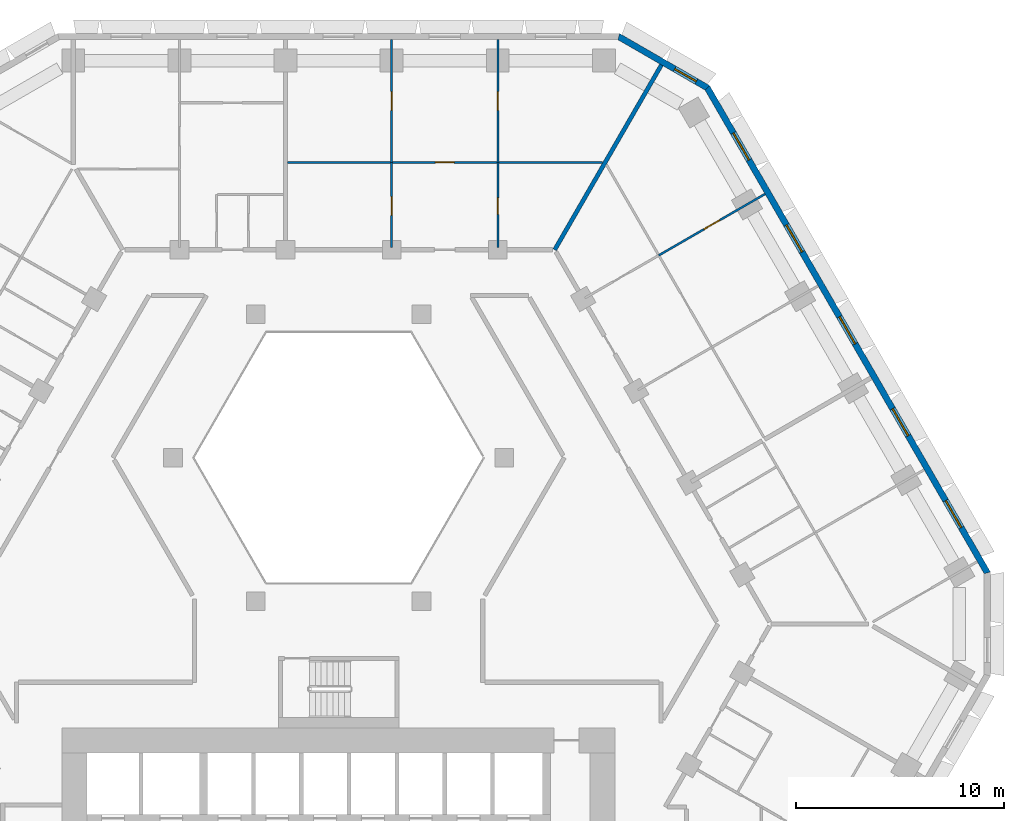
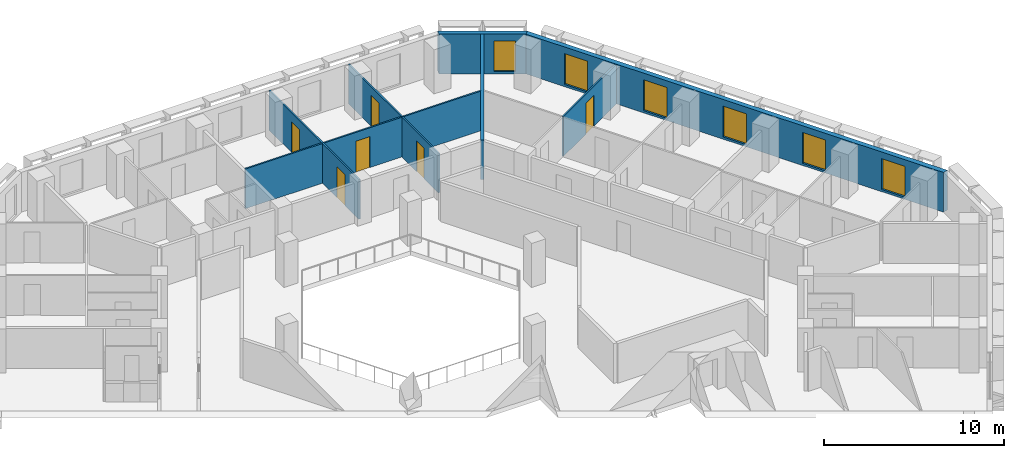
# One storey, part 10 of 16: 9 walls, 6 doors, 6 windows, 12 openings.
"""IFC4 building model written with IfcOpenShell, lengths in metres."""

from ifc_helpers import new_model, si_unit, direction, frame, frame_2d, origin, place, context, subcontext, project, spatial, polyline, rectangle, outline, extrude, material, layer, layer_set, type_object, element, fill, save


model = new_model("IFC4")

# Units and contexts
model_context = context("Model", 3, precision=1e-05, world=origin(), true_north=direction((0.0, 1.0)))
body_context = subcontext(model_context, "Body", "Model", "MODEL_VIEW")
ifc_project = project(units=[si_unit("LENGTHUNIT", "METRE"), si_unit("AREAUNIT", "SQUARE_METRE"), si_unit("VOLUMEUNIT", "CUBIC_METRE"), si_unit("PLANEANGLEUNIT", "RADIAN"), si_unit("MASSUNIT", "GRAM", prefix="KILO")], contexts=[model_context])

# Site, building, storey
site_placement = place(None, origin())
site = spatial("IfcSite", under=ifc_project, at=site_placement, CompositionType="ELEMENT")
building_placement = place(site_placement, origin())
building = spatial("IfcBuilding", under=site, at=building_placement, Name="Beryl Residences", CompositionType="ELEMENT")
storey_placement = place(building_placement, frame((0.0, 0.0, 56.39990234375)))
storey = spatial("IfcBuildingStorey", under=building, at=storey_placement, Name="L17", CompositionType="ELEMENT", Elevation=56.39990234375)

# Wall, openings, windows
ifc_material_1 = material(Name="Composite metal panel with mineral wool insulation")
ifc_layer_1 = layer(ifc_material_1, 0.300048828125)
ifc_layer_set_1 = layer_set([ifc_layer_1], Name="ES1 pale metal composite panel wall 300 mm")
wall_type_1 = type_object("IfcWallType", Name="ES1 pale metal composite panel wall 300 mm", PredefinedType="SOLIDWALL", material=ifc_layer_set_1)
wall_1_placement = place(storey_placement, frame((31.219970703125, 2.425048828125, 0.0), z_axis=(0.0, 0.0, 1.0), x_axis=(-0.500001938803, 0.866024284413, 0.0)))
wall_1 = element("IfcWall", 1, at=wall_1_placement, inside=storey, type_object=wall_type_1, Name="ES1 external wall L17 NE", PredefinedType="SOLIDWALL", context=body_context, shape_type="SweptSolid", body=[
    extrude(outline(polyline([(0.0, -0.14990234375), (27.02001953125, -0.14990234375), (26.939697265625, 0.14990234375), (0.080322265625, 0.14990234375), (0.0, -0.14990234375)])), origin(), (0.0, 0.0, 1.0), 2.7001953125),
])
opening_1_placement = place(wall_1_placement, frame((2.552978515625, 0.0, 0.14990234375)))
opening_1 = element("IfcOpeningElement", 2, at=opening_1_placement, cuts=wall_1, Name="Opening W1", PredefinedType="OPENING", context=body_context, shape_type="SweptSolid", body=[
    extrude(rectangle(XDim=1.5, YDim=2.10009765625, at=frame_2d((0.75, 1.050048828125))), frame((0.0, 0.159912109375, 0.0), z_axis=(0.0, -1.0, 0.0), x_axis=(1.0, 0.0, 0.0)), (0.0, 0.0, 1.0), 0.320068359375),
])
opening_2_placement = place(wall_1_placement, frame((7.656982421875, 0.0, 0.14990234375)))
opening_2 = element("IfcOpeningElement", 3, at=opening_2_placement, cuts=wall_1, Name="Opening W1", PredefinedType="OPENING", context=body_context, shape_type="SweptSolid", body=[
    extrude(rectangle(XDim=1.5, YDim=2.10009765625, at=frame_2d((0.75, 1.050048828125))), frame((0.0, 0.159912109375, 0.0), z_axis=(0.0, -1.0, 0.0), x_axis=(1.0, 0.0, 0.0)), (0.0, 0.0, 1.0), 0.320068359375),
])
opening_3_placement = place(wall_1_placement, frame((12.760986328125, 0.0, 0.14990234375)))
opening_3 = element("IfcOpeningElement", 4, at=opening_3_placement, cuts=wall_1, Name="Opening W1", PredefinedType="OPENING", context=body_context, shape_type="SweptSolid", body=[
    extrude(rectangle(XDim=1.5, YDim=2.10009765625, at=frame_2d((0.75, 1.050048828125))), frame((0.0, 0.159912109375, 0.0), z_axis=(0.0, -1.0, 0.0), x_axis=(1.0, 0.0, 0.0)), (0.0, 0.0, 1.0), 0.320068359375),
])
opening_4_placement = place(wall_1_placement, frame((17.864990234375, 0.0, 0.14990234375)))
opening_4 = element("IfcOpeningElement", 5, at=opening_4_placement, cuts=wall_1, Name="Opening W1", PredefinedType="OPENING", context=body_context, shape_type="SweptSolid", body=[
    extrude(rectangle(XDim=1.5, YDim=2.10009765625, at=frame_2d((0.75, 1.050048828125))), frame((0.0, 0.159912109375, 0.0), z_axis=(0.0, -1.0, 0.0), x_axis=(1.0, 0.0, 0.0)), (0.0, 0.0, 1.0), 0.320068359375),
])
opening_5_placement = place(wall_1_placement, frame((22.968994140625, 0.0, 0.14990234375)))
opening_5 = element("IfcOpeningElement", 6, at=opening_5_placement, cuts=wall_1, Name="Opening W1", PredefinedType="OPENING", context=body_context, shape_type="SweptSolid", body=[
    extrude(rectangle(XDim=1.5, YDim=2.10009765625, at=frame_2d((0.75, 1.050048828125))), frame((0.0, 0.159912109375, 0.0), z_axis=(0.0, -1.0, 0.0), x_axis=(1.0, 0.0, 0.0)), (0.0, 0.0, 1.0), 0.320068359375),
])
ifc_material_2 = material(Name="Aluminium and clear glass", Category="aluminium")
window_type_1 = type_object("IfcWindowType", Name="W1 cell window 1500 x 2100 mm", PartitioningType="SINGLE_PANEL", PredefinedType="WINDOW", material=ifc_material_2)
window_1_placement = place(opening_1_placement, origin())
window_1 = element("IfcWindow", 7, at=window_1_placement, inside=storey, type_object=window_type_1, Name="W1 window L17 NE 2", OverallHeight=2.10009765625, OverallWidth=1.5, PartitioningType="SINGLE_PANEL", PredefinedType="WINDOW", context=body_context, shape_type="SweptSolid", body=[
    extrude(rectangle(XDim=1.5, YDim=2.10009765625, at=frame_2d((0.75, 1.050048828125))), frame((0.0, 0.030029296875, 0.0), z_axis=(0.0, -1.0, 0.0), x_axis=(1.0, 0.0, 0.0)), (0.0, 0.0, 1.0), 0.06005859375),
])
fill(opening_1, window_1)
window_2_placement = place(opening_2_placement, origin())
window_2 = element("IfcWindow", 8, at=window_2_placement, inside=storey, type_object=window_type_1, Name="W1 window L17 NE 4", OverallHeight=2.10009765625, OverallWidth=1.5, PartitioningType="SINGLE_PANEL", PredefinedType="WINDOW", context=body_context, shape_type="SweptSolid", body=[
    extrude(rectangle(XDim=1.5, YDim=2.10009765625, at=frame_2d((0.75, 1.050048828125))), frame((0.0, 0.030029296875, 0.0), z_axis=(0.0, -1.0, 0.0), x_axis=(1.0, 0.0, 0.0)), (0.0, 0.0, 1.0), 0.06005859375),
])
fill(opening_2, window_2)
window_3_placement = place(opening_3_placement, origin())
window_3 = element("IfcWindow", 9, at=window_3_placement, inside=storey, type_object=window_type_1, Name="W1 window L17 NE 6", OverallHeight=2.10009765625, OverallWidth=1.5, PartitioningType="SINGLE_PANEL", PredefinedType="WINDOW", context=body_context, shape_type="SweptSolid", body=[
    extrude(rectangle(XDim=1.5, YDim=2.10009765625, at=frame_2d((0.75, 1.050048828125))), frame((0.0, 0.030029296875, 0.0), z_axis=(0.0, -1.0, 0.0), x_axis=(1.0, 0.0, 0.0)), (0.0, 0.0, 1.0), 0.06005859375),
])
fill(opening_3, window_3)
window_4_placement = place(opening_4_placement, origin())
window_4 = element("IfcWindow", 10, at=window_4_placement, inside=storey, type_object=window_type_1, Name="W1 window L17 NE 8", OverallHeight=2.10009765625, OverallWidth=1.5, PartitioningType="SINGLE_PANEL", PredefinedType="WINDOW", context=body_context, shape_type="SweptSolid", body=[
    extrude(rectangle(XDim=1.5, YDim=2.10009765625, at=frame_2d((0.75, 1.050048828125))), frame((0.0, 0.030029296875, 0.0), z_axis=(0.0, -1.0, 0.0), x_axis=(1.0, 0.0, 0.0)), (0.0, 0.0, 1.0), 0.06005859375),
])
fill(opening_4, window_4)
window_5_placement = place(opening_5_placement, origin())
window_5 = element("IfcWindow", 11, at=window_5_placement, inside=storey, type_object=window_type_1, Name="W1 window L17 NE 10", OverallHeight=2.10009765625, OverallWidth=1.5, PartitioningType="SINGLE_PANEL", PredefinedType="WINDOW", context=body_context, shape_type="SweptSolid", body=[
    extrude(rectangle(XDim=1.5, YDim=2.10009765625, at=frame_2d((0.75, 1.050048828125))), frame((0.0, 0.030029296875, 0.0), z_axis=(0.0, -1.0, 0.0), x_axis=(1.0, 0.0, 0.0)), (0.0, 0.0, 1.0), 0.06005859375),
])
fill(opening_5, window_5)

# Wall, opening, window
wall_2_placement = place(storey_placement, frame((17.764892578125, 25.77001953125, 0.0), z_axis=(0.0, 0.0, 1.0), x_axis=(-0.866010750942, 0.50002537861, 0.0)))
wall_2 = element("IfcWall", 12, at=wall_2_placement, inside=storey, type_object=wall_type_1, Name="ES1 external wall L17 NE-N", PredefinedType="SOLIDWALL", context=body_context, shape_type="SweptSolid", body=[
    extrude(outline(polyline([(0.0, -0.14990234375), (4.999755859375, -0.14990234375), (4.91943359375, 0.14990234375), (0.080322265625, 0.14990234375), (0.0, -0.14990234375)])), origin(), (0.0, 0.0, 1.0), 2.7001953125),
])
opening_6_placement = place(wall_2_placement, frame((0.64990234375, 0.0, 0.14990234375)))
opening_6 = element("IfcOpeningElement", 13, at=opening_6_placement, cuts=wall_2, Name="Opening W2", PredefinedType="OPENING", context=body_context, shape_type="SweptSolid", body=[
    extrude(rectangle(XDim=1.199951171875, YDim=2.10009765625, at=frame_2d((0.60009765625, 1.050048828125))), frame((0.0, 0.159912109375, 0.0), z_axis=(0.0, -1.0, 0.0), x_axis=(1.0, 0.0, 0.0)), (0.0, 0.0, 1.0), 0.320068359375),
])
ifc_material_3 = material(Name="Aluminium and clear glass", Category="aluminium")
window_type_2 = type_object("IfcWindowType", Name="W2 chamfer window 1200 x 2100 mm", PartitioningType="SINGLE_PANEL", PredefinedType="WINDOW", material=ifc_material_3)
window_6_placement = place(opening_6_placement, origin())
window_6 = element("IfcWindow", 14, at=window_6_placement, inside=storey, type_object=window_type_2, Name="W2 window L17 NE-N 1", OverallHeight=2.10009765625, OverallWidth=1.199951171875, PartitioningType="SINGLE_PANEL", PredefinedType="WINDOW", context=body_context, shape_type="SweptSolid", body=[
    extrude(rectangle(XDim=1.199951171875, YDim=2.10009765625, at=frame_2d((0.60009765625, 1.050048828125))), frame((0.0, 0.030029296875, 0.0), z_axis=(0.0, -1.0, 0.0), x_axis=(1.0, 0.0, 0.0)), (0.0, 0.0, 1.0), 0.06005859375),
])
fill(opening_6, window_6)

# Wall, opening, door
ifc_material_4 = material(Name="Gypsum board partition on steel studs", Category="steel")
ifc_layer_2 = layer(ifc_material_4, 0.10009765625)
ifc_layer_set_2 = layer_set([ifc_layer_2], Name="PT1 partition 100 mm gypsum board on steel studs")
wall_type_2 = type_object("IfcWallType", Name="PT1 partition 100 mm gypsum board on steel studs", PredefinedType="PARTITIONING", material=ifc_layer_set_2)
wall_3_placement = place(storey_placement, frame((-2.452880859375, 22.199951171875, 0.0), z_axis=(0.0, 0.0, 1.0), x_axis=(1.0, 0.0, 0.0)))
wall_3 = element("IfcWall", 15, at=wall_3_placement, inside=storey, type_object=wall_type_2, Name="Wall PT1 L17 034", PredefinedType="PARTITIONING", context=body_context, shape_type="SweptSolid", body=[
    extrude(rectangle(XDim=15.15478515625, YDim=0.10009765625, at=frame_2d((7.577392578125, 0.0))), origin(), (0.0, 0.0, 1.0), 2.7001953125),
])
opening_7_placement = place(wall_3_placement, frame((7.10595703125, 0.0, 0.0)))
opening_7 = element("IfcOpeningElement", 16, at=opening_7_placement, cuts=wall_3, Name="Opening D0559", PredefinedType="OPENING", context=body_context, shape_type="SweptSolid", body=[
    extrude(rectangle(XDim=0.89990234375, YDim=2.10009765625, at=frame_2d((0.449951171875, 1.050048828125))), frame((0.0, 0.06005859375, 0.0), z_axis=(0.0, -1.0, 0.0), x_axis=(1.0, 0.0, 0.0)), (0.0, 0.0, 1.0), 0.1201171875),
])
ifc_material_5 = material(Name="Timber door leaf", Category="wood")
door_type_1 = type_object("IfcDoorType", Name="D2 room door 900 x 2100 mm", OperationType="SINGLE_SWING_LEFT", PredefinedType="DOOR", material=ifc_material_5)
door_1_placement = place(opening_7_placement, origin())
door_1 = element("IfcDoor", 17, at=door_1_placement, inside=storey, type_object=door_type_1, Name="Door D0559 L17 001", OperationType="SINGLE_SWING_LEFT", OverallHeight=2.10009765625, OverallWidth=0.89990234375, PredefinedType="DOOR", context=body_context, shape_type="SweptSolid", body=[
    extrude(rectangle(XDim=0.89990234375, YDim=2.10009765625, at=frame_2d((0.449951171875, 1.050048828125))), frame((0.0, 0.02490234375, 0.0), z_axis=(0.0, -1.0, 0.0), x_axis=(1.0, 0.0, 0.0)), (0.0, 0.0, 1.0), 0.050048828125),
])
fill(opening_7, door_1)

wall_4_placement = place(storey_placement, frame((7.655029296875, 18.10009765625, 0.0), z_axis=(0.0, 0.0, 1.0), x_axis=(0.0, 1.0, 0.0)))
wall_4 = element("IfcWall", 18, at=wall_4_placement, inside=storey, type_object=wall_type_2, Name="Wall PT1 L17 043", PredefinedType="PARTITIONING", context=body_context, shape_type="SweptSolid", body=[
    extrude(rectangle(XDim=4.099853515625, YDim=0.10009765625, at=frame_2d((2.0498046875, 0.0))), origin(), (0.0, 0.0, 1.0), 2.7001953125),
])
opening_8_placement = place(wall_4_placement, frame((1.60009765625, 0.0, 0.0)))
opening_8 = element("IfcOpeningElement", 19, at=opening_8_placement, cuts=wall_4, Name="Opening D0560", PredefinedType="OPENING", context=body_context, shape_type="SweptSolid", body=[
    extrude(rectangle(XDim=0.800048828125, YDim=2.10009765625, at=frame_2d((0.39990234375, 1.050048828125))), frame((0.0, 0.06005859375, 0.0), z_axis=(0.0, -1.0, 0.0), x_axis=(1.0, 0.0, 0.0)), (0.0, 0.0, 1.0), 0.1201171875),
])
ifc_material_6 = material(Name="Timber door leaf", Category="wood")
door_type_2 = type_object("IfcDoorType", Name="D3 bathroom door 800 x 2100 mm", OperationType="SINGLE_SWING_LEFT", PredefinedType="DOOR", material=ifc_material_6)
door_2_placement = place(opening_8_placement, origin())
door_2 = element("IfcDoor", 20, at=door_2_placement, inside=storey, type_object=door_type_2, Name="Door D0560 L17 001", OperationType="SINGLE_SWING_RIGHT", OverallHeight=2.10009765625, OverallWidth=0.800048828125, PredefinedType="DOOR", context=body_context, shape_type="SweptSolid", body=[
    extrude(rectangle(XDim=0.800048828125, YDim=2.10009765625, at=frame_2d((0.39990234375, 1.050048828125))), frame((0.0, 0.02490234375, 0.0), z_axis=(0.0, -1.0, 0.0), x_axis=(1.0, 0.0, 0.0)), (0.0, 0.0, 1.0), 0.050048828125),
])
fill(opening_8, door_2)

wall_5_placement = place(storey_placement, frame((2.551025390625, 18.10009765625, 0.0), z_axis=(0.0, 0.0, 1.0), x_axis=(0.0, 1.0, 0.0)))
wall_5 = element("IfcWall", 21, at=wall_5_placement, inside=storey, type_object=wall_type_2, Name="Wall PT1 L17 049", PredefinedType="PARTITIONING", context=body_context, shape_type="SweptSolid", body=[
    extrude(rectangle(XDim=4.099853515625, YDim=0.10009765625, at=frame_2d((2.0498046875, 0.0))), origin(), (0.0, 0.0, 1.0), 2.7001953125),
])
opening_9_placement = place(wall_5_placement, frame((1.550048828125, 0.0, 0.0)))
opening_9 = element("IfcOpeningElement", 22, at=opening_9_placement, cuts=wall_5, Name="Opening D0561", PredefinedType="OPENING", context=body_context, shape_type="SweptSolid", body=[
    extrude(rectangle(XDim=0.89990234375, YDim=2.10009765625, at=frame_2d((0.449951171875, 1.050048828125))), frame((0.0, 0.06005859375, 0.0), z_axis=(0.0, -1.0, 0.0), x_axis=(1.0, 0.0, 0.0)), (0.0, 0.0, 1.0), 0.1201171875),
])
door_3_placement = place(opening_9_placement, origin())
door_3 = element("IfcDoor", 23, at=door_3_placement, inside=storey, type_object=door_type_1, Name="Door D0561 L17 001", OperationType="SINGLE_SWING_LEFT", OverallHeight=2.10009765625, OverallWidth=0.89990234375, PredefinedType="DOOR", context=body_context, shape_type="SweptSolid", body=[
    extrude(rectangle(XDim=0.89990234375, YDim=2.10009765625, at=frame_2d((0.449951171875, 1.050048828125))), frame((0.0, 0.02490234375, 0.0), z_axis=(0.0, -1.0, 0.0), x_axis=(1.0, 0.0, 0.0)), (0.0, 0.0, 1.0), 0.050048828125),
])
fill(opening_9, door_3)

wall_6_placement = place(storey_placement, frame((15.39697265625, 17.73095703125, 0.0), z_axis=(0.0, 0.0, 1.0), x_axis=(0.866052608538, 0.499952877023, 0.0)))
wall_6 = element("IfcWall", 24, at=wall_6_placement, inside=storey, type_object=wall_type_2, Name="Wall PT1 L17 069", PredefinedType="PARTITIONING", context=body_context, shape_type="SweptSolid", body=[
    extrude(rectangle(XDim=5.900390625, YDim=0.10009765625, at=frame_2d((2.9501953125, 0.0))), origin(), (0.0, 0.0, 1.0), 2.7001953125),
])
opening_10_placement = place(wall_6_placement, frame((2.5, 0.0, 0.0)))
opening_10 = element("IfcOpeningElement", 25, at=opening_10_placement, cuts=wall_6, Name="Opening D0557", PredefinedType="OPENING", context=body_context, shape_type="SweptSolid", body=[
    extrude(rectangle(XDim=0.89990234375, YDim=2.10009765625, at=frame_2d((0.449951171875, 1.050048828125))), frame((0.0, 0.06005859375, 0.0), z_axis=(0.0, -1.0, 0.0), x_axis=(1.0, 0.0, 0.0)), (0.0, 0.0, 1.0), 0.1201171875),
])
door_4_placement = place(opening_10_placement, origin())
door_4 = element("IfcDoor", 26, at=door_4_placement, inside=storey, type_object=door_type_1, Name="Door D0557 L17 001", OperationType="SINGLE_SWING_LEFT", OverallHeight=2.10009765625, OverallWidth=0.89990234375, PredefinedType="DOOR", context=body_context, shape_type="SweptSolid", body=[
    extrude(rectangle(XDim=0.89990234375, YDim=2.10009765625, at=frame_2d((0.449951171875, 1.050048828125))), frame((0.0, 0.02490234375, 0.0), z_axis=(0.0, -1.0, 0.0), x_axis=(1.0, 0.0, 0.0)), (0.0, 0.0, 1.0), 0.050048828125),
])
fill(opening_10, door_4)

wall_7_placement = place(storey_placement, frame((7.655029296875, 22.199951171875, 0.0), z_axis=(0.0, 0.0, 1.0), x_axis=(0.0, 1.0, 0.0)))
wall_7 = element("IfcWall", 27, at=wall_7_placement, inside=storey, type_object=wall_type_2, Name="Wall PT1 L17 075", PredefinedType="PARTITIONING", context=body_context, shape_type="SweptSolid", body=[
    extrude(rectangle(XDim=5.900146484375, YDim=0.10009765625, at=frame_2d((2.9501953125, 0.0))), origin(), (0.0, 0.0, 1.0), 2.7001953125),
])
opening_11_placement = place(wall_7_placement, frame((2.5, 0.0, 0.0)))
opening_11 = element("IfcOpeningElement", 28, at=opening_11_placement, cuts=wall_7, Name="Opening D0563", PredefinedType="OPENING", context=body_context, shape_type="SweptSolid", body=[
    extrude(rectangle(XDim=0.89990234375, YDim=2.10009765625, at=frame_2d((0.449951171875, 1.050048828125))), frame((0.0, 0.06005859375, 0.0), z_axis=(0.0, -1.0, 0.0), x_axis=(1.0, 0.0, 0.0)), (0.0, 0.0, 1.0), 0.1201171875),
])
door_5_placement = place(opening_11_placement, origin())
door_5 = element("IfcDoor", 29, at=door_5_placement, inside=storey, type_object=door_type_1, Name="Door D0563 L17 001", OperationType="SINGLE_SWING_LEFT", OverallHeight=2.10009765625, OverallWidth=0.89990234375, PredefinedType="DOOR", context=body_context, shape_type="SweptSolid", body=[
    extrude(rectangle(XDim=0.89990234375, YDim=2.10009765625, at=frame_2d((0.449951171875, 1.050048828125))), frame((0.0, 0.02490234375, 0.0), z_axis=(0.0, -1.0, 0.0), x_axis=(1.0, 0.0, 0.0)), (0.0, 0.0, 1.0), 0.050048828125),
])
fill(opening_11, door_5)

wall_8_placement = place(storey_placement, frame((2.551025390625, 22.199951171875, 0.0), z_axis=(0.0, 0.0, 1.0), x_axis=(0.0, 1.0, 0.0)))
wall_8 = element("IfcWall", 30, at=wall_8_placement, inside=storey, type_object=wall_type_2, Name="Wall PT1 L17 076", PredefinedType="PARTITIONING", context=body_context, shape_type="SweptSolid", body=[
    extrude(rectangle(XDim=5.900146484375, YDim=0.10009765625, at=frame_2d((2.9501953125, 0.0))), origin(), (0.0, 0.0, 1.0), 2.7001953125),
])
opening_12_placement = place(wall_8_placement, frame((2.5, 0.0, 0.0)))
opening_12 = element("IfcOpeningElement", 31, at=opening_12_placement, cuts=wall_8, Name="Opening D0562", PredefinedType="OPENING", context=body_context, shape_type="SweptSolid", body=[
    extrude(rectangle(XDim=0.89990234375, YDim=2.10009765625, at=frame_2d((0.449951171875, 1.050048828125))), frame((0.0, 0.06005859375, 0.0), z_axis=(0.0, -1.0, 0.0), x_axis=(1.0, 0.0, 0.0)), (0.0, 0.0, 1.0), 0.1201171875),
])
door_6_placement = place(opening_12_placement, origin())
door_6 = element("IfcDoor", 32, at=door_6_placement, inside=storey, type_object=door_type_1, Name="Door D0562 L17 001", OperationType="SINGLE_SWING_RIGHT", OverallHeight=2.10009765625, OverallWidth=0.89990234375, PredefinedType="DOOR", context=body_context, shape_type="SweptSolid", body=[
    extrude(rectangle(XDim=0.89990234375, YDim=2.10009765625, at=frame_2d((0.449951171875, 1.050048828125))), frame((0.0, 0.02490234375, 0.0), z_axis=(0.0, -1.0, 0.0), x_axis=(1.0, 0.0, 0.0)), (0.0, 0.0, 1.0), 0.050048828125),
])
fill(opening_12, door_6)

# Wall
ifc_material_7 = material(Name="Acoustic double stud gypsum board wall")
ifc_layer_3 = layer(ifc_material_7, 0.199951171875)
ifc_layer_set_3 = layer_set([ifc_layer_3], Name="PT3 party wall 200 mm acoustic double stud")
wall_type_3 = type_object("IfcWallType", Name="PT3 party wall 200 mm acoustic double stud", PredefinedType="PARTITIONING", material=ifc_layer_set_3)
wall_9_placement = place(storey_placement, frame((10.39306640625, 18.0, 0.0), z_axis=(0.0, 0.0, 1.0), x_axis=(0.499945497007, 0.866056868816, 0.0)))
element("IfcWall", 33, at=wall_9_placement, inside=storey, type_object=wall_type_3, Name="Wall PT3 L17 012", PredefinedType="PARTITIONING", context=body_context, shape_type="SweptSolid", body=[
    extrude(rectangle(XDim=10.264892578125, YDim=0.199951171875, at=frame_2d((5.13232421875, 0.0))), origin(), (0.0, 0.0, 1.0), 2.7001953125),
])

save(model, "model.ifc")
